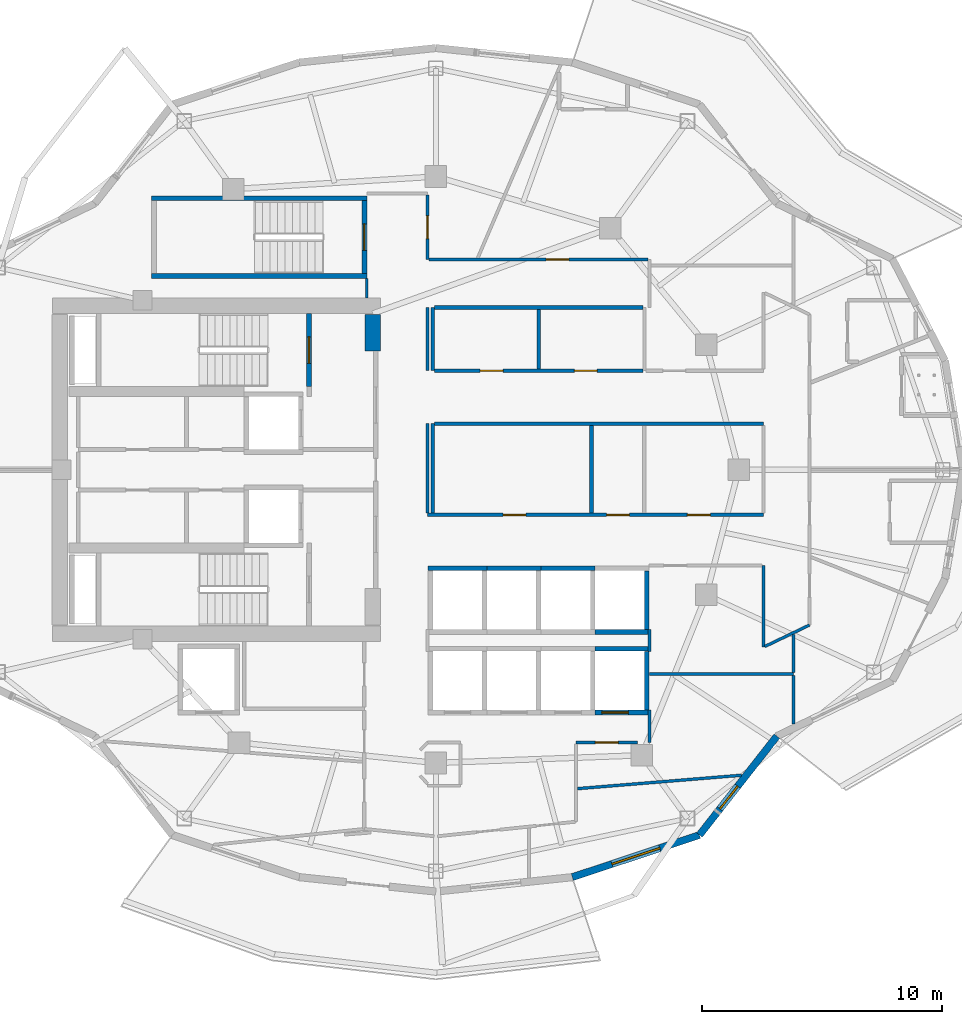
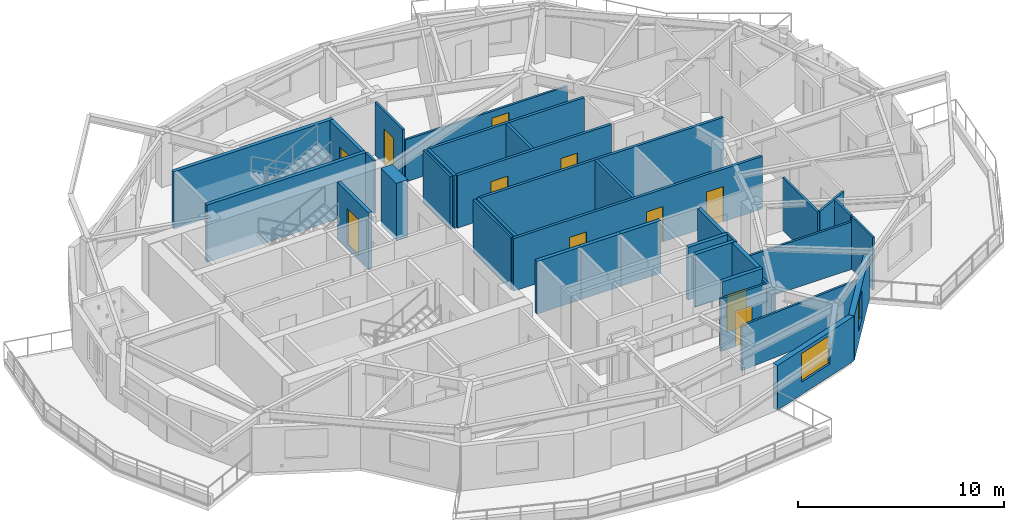
# One storey, part 5 of 13: 37 walls, 11 doors, 2 windows, 13 openings.
"""IFC4 building model written with IfcOpenShell, lengths in metres."""

from ifc_helpers import new_model, si_unit, direction, frame, frame_2d, origin, place, context, subcontext, project, spatial, rectangle, extrude, material, layer, layer_set, type_object, element, fill, save


model = new_model("IFC4")

# Units and contexts
model_context = context("Model", 3, precision=1e-05, world=origin(), true_north=direction((0.0, 1.0)))
body_context = subcontext(model_context, "Body", "Model", "MODEL_VIEW")
ifc_project = project(units=[si_unit("LENGTHUNIT", "METRE"), si_unit("AREAUNIT", "SQUARE_METRE"), si_unit("VOLUMEUNIT", "CUBIC_METRE"), si_unit("PLANEANGLEUNIT", "RADIAN"), si_unit("MASSUNIT", "GRAM", prefix="KILO")], contexts=[model_context])

# Site, building, storey
site_placement = place(None, origin())
site = spatial("IfcSite", under=ifc_project, at=site_placement, CompositionType="ELEMENT")
building_placement = place(site_placement, origin())
building = spatial("IfcBuilding", under=site, at=building_placement, Name="Kolvaren Gate Tower and Convention Centre", CompositionType="ELEMENT")
storey_placement = place(building_placement, frame((0.0, 0.0, 166.5)))
storey = spatial("IfcBuildingStorey", under=building, at=storey_placement, Name="L43", CompositionType="ELEMENT", Elevation=166.5)

# Walls
ifc_material_1 = material(Name="Fire-Rated Acoustic Gypsum Stud Partition", Category="gypsum")
ifc_layer_1 = layer(ifc_material_1, 0.1201171875)
ifc_layer_set_1 = layer_set([ifc_layer_1], Name="Fire-Rated Acoustic Gypsum Stud Partition")
wall_type_1 = type_object("IfcWallType", Name="ARCH-WL-PART-120", PredefinedType="PARTITIONING", material=ifc_layer_set_1)
wall_1_placement = place(storey_placement, frame((39.02001953125, 15.64990234375, 0.0), z_axis=(0.0, 0.0, 1.0), x_axis=(0.0, 1.0, 0.0)))
element("IfcWall", 1, at=wall_1_placement, inside=storey, type_object=wall_type_1, Name="Interior Partition WL-L43-INT-023", PredefinedType="PARTITIONING", context=body_context, shape_type="SweptSolid", body=[
    extrude(rectangle(XDim=1.360107421875, YDim=0.1201171875, at=frame_2d((0.68017578125, 0.0))), origin(), (0.0, 0.0, 1.0), 2.5048828125),
])
wall_2_placement = place(storey_placement, frame((39.02001953125, 19.43994140625, 0.0), z_axis=(0.0, 0.0, 1.0), x_axis=(0.0, 1.0, 0.0)))
element("IfcWall", 2, at=wall_2_placement, inside=storey, type_object=wall_type_1, Name="Interior Partition WL-L43-INT-023 (2)", PredefinedType="PARTITIONING", context=body_context, shape_type="SweptSolid", body=[
    extrude(rectangle(XDim=0.920166015625, YDim=0.1201171875, at=frame_2d((0.4599609375, 0.0))), origin(), (0.0, 0.0, 1.0), 3.1298828125),
])

# Wall, opening, door
wall_3_placement = place(storey_placement, frame((35.949951171875, 15.64990234375, 0.0), z_axis=(0.0, 0.0, 1.0), x_axis=(1.0, 0.0, 0.0)))
wall_3 = element("IfcWall", 3, at=wall_3_placement, inside=storey, type_object=wall_type_1, Name="Interior Partition WL-L43-INT-026", PredefinedType="PARTITIONING", context=body_context, shape_type="SweptSolid", body=[
    extrude(rectangle(XDim=2.568115234375, YDim=0.1201171875, at=frame_2d((1.2841796875, 0.0))), origin(), (0.0, 0.0, 1.0), 3.1298828125),
])
opening_1_placement = place(wall_3_placement, frame((0.80908203125, 0.0, 0.0)))
opening_1 = element("IfcOpeningElement", 4, at=opening_1_placement, cuts=wall_3, Name="Opening DR-01", PredefinedType="OPENING", context=body_context, shape_type="SweptSolid", body=[
    extrude(rectangle(XDim=0.949951171875, YDim=2.10009765625, at=frame_2d((0.47509765625, 1.050048828125))), frame((0.0, 0.070068359375, 0.0), z_axis=(0.0, -1.0, 0.0), x_axis=(1.0, 0.0, 0.0)), (0.0, 0.0, 1.0), 0.14013671875),
])
ifc_material_2 = material(Name="Painted Architectural Steelwork ASTM A500 Grade C 345 MPa", Category="steel")
door_type_1 = type_object("IfcDoorType", Name="ARCH-DR-RISER-950", OperationType="SINGLE_SWING_RIGHT", PredefinedType="DOOR", material=ifc_material_2)
door_1_placement = place(opening_1_placement, origin())
door_1 = element("IfcDoor", 5, at=door_1_placement, inside=storey, type_object=door_type_1, Name="Luxury Retail Boutique Door", OperationType="SINGLE_SWING_RIGHT", OverallHeight=2.10009765625, OverallWidth=0.949951171875, PredefinedType="DOOR", context=body_context, shape_type="SweptSolid", body=[
    extrude(rectangle(XDim=0.949951171875, YDim=2.10009765625, at=frame_2d((0.47509765625, 1.050048828125))), frame((0.0, 0.02490234375, 0.0), z_axis=(0.0, -1.0, 0.0), x_axis=(1.0, 0.0, 0.0)), (0.0, 0.0, 1.0), 0.050048828125),
])
fill(opening_1, door_1)

# Walls
wall_4_placement = place(storey_placement, frame((27.25, 34.152099609375, 0.0), z_axis=(0.0, 0.0, 1.0), x_axis=(0.0, 1.0, 0.0)))
element("IfcWall", 6, at=wall_4_placement, inside=storey, type_object=wall_type_1, Name="Interior Partition WL-L43-INT-030", PredefinedType="PARTITIONING", context=body_context, shape_type="SweptSolid", body=[
    extrude(rectangle(XDim=0.805908203125, YDim=0.1201171875, at=frame_2d((0.40283203125, 0.0))), origin(), (0.0, 0.0, 1.0), 3.1298828125),
])
wall_5_placement = place(storey_placement, frame((29.780029296875, 25.197021484375, 0.0), z_axis=(0.0, 0.0, 1.0), x_axis=(0.0, 1.0, 0.0)))
element("IfcWall", 7, at=wall_5_placement, inside=storey, type_object=wall_type_1, Name="Interior Partition WL-L43-INT-033", PredefinedType="PARTITIONING", context=body_context, shape_type="SweptSolid", body=[
    extrude(rectangle(XDim=3.722900390625, YDim=0.1201171875, at=frame_2d((1.861328125, 0.0))), origin(), (0.0, 0.0, 1.0), 3.1298828125),
])
wall_6_placement = place(storey_placement, frame((29.780029296875, 31.1201171875, 0.0), z_axis=(0.0, 0.0, 1.0), x_axis=(0.0, 1.0, 0.0)))
element("IfcWall", 8, at=wall_6_placement, inside=storey, type_object=wall_type_1, Name="Interior Partition WL-L43-INT-034", PredefinedType="PARTITIONING", context=body_context, shape_type="SweptSolid", body=[
    extrude(rectangle(XDim=2.6298828125, YDim=0.1201171875, at=frame_2d((1.31494140625, 0.0))), origin(), (0.0, 0.0, 1.0), 3.1298828125),
])

# Wall, opening, door
wall_7_placement = place(storey_placement, frame((29.780029296875, 35.75, 0.0), z_axis=(0.0, 0.0, 1.0), x_axis=(0.0, 1.0, 0.0)))
wall_7 = element("IfcWall", 9, at=wall_7_placement, inside=storey, type_object=wall_type_1, Name="Interior Partition WL-L43-INT-035", PredefinedType="PARTITIONING", context=body_context, shape_type="SweptSolid", body=[
    extrude(rectangle(XDim=2.68798828125, YDim=0.1201171875, at=frame_2d((1.343994140625, 0.0))), origin(), (0.0, 0.0, 1.0), 3.1298828125),
])
opening_2_placement = place(wall_7_placement, frame((0.868896484375, 0.0, 0.0)))
opening_2 = element("IfcOpeningElement", 10, at=opening_2_placement, cuts=wall_7, Name="Opening DR-01", PredefinedType="OPENING", context=body_context, shape_type="SweptSolid", body=[
    extrude(rectangle(XDim=0.949951171875, YDim=2.10009765625, at=frame_2d((0.47509765625, 1.050048828125))), frame((0.0, 0.070068359375, 0.0), z_axis=(0.0, -1.0, 0.0), x_axis=(1.0, 0.0, 0.0)), (0.0, 0.0, 1.0), 0.14013671875),
])
door_2_placement = place(opening_2_placement, origin())
door_2 = element("IfcDoor", 11, at=door_2_placement, inside=storey, type_object=door_type_1, Name="Deluxe Hotel Suite (HTL-L43-14) Door", OperationType="SINGLE_SWING_LEFT", OverallHeight=2.10009765625, OverallWidth=0.949951171875, PredefinedType="DOOR", context=body_context, shape_type="SweptSolid", body=[
    extrude(rectangle(XDim=0.949951171875, YDim=2.10009765625, at=frame_2d((0.47509765625, 1.050048828125))), frame((0.0, 0.02490234375, 0.0), z_axis=(0.0, -1.0, 0.0), x_axis=(1.0, 0.0, 0.0)), (0.0, 0.0, 1.0), 0.050048828125),
])
fill(opening_2, door_2)

wall_8_placement = place(storey_placement, frame((29.842041015625, 35.75, 0.0), z_axis=(0.0, 0.0, 1.0), x_axis=(1.0, 0.0, 0.0)))
wall_8 = element("IfcWall", 12, at=wall_8_placement, inside=storey, type_object=wall_type_1, Name="Interior Partition WL-L43-INT-036", PredefinedType="PARTITIONING", context=body_context, shape_type="SweptSolid", body=[
    extrude(rectangle(XDim=9.115966796875, YDim=0.1201171875, at=frame_2d((4.55810546875, 0.0))), origin(), (0.0, 0.0, 1.0), 2.5048828125),
])
opening_3_placement = place(wall_8_placement, frame((4.866455078125, 0.0, 0.0)))
opening_3 = element("IfcOpeningElement", 13, at=opening_3_placement, cuts=wall_8, Name="Opening DR-01", PredefinedType="OPENING", context=body_context, shape_type="SweptSolid", body=[
    extrude(rectangle(XDim=0.949951171875, YDim=2.10009765625, at=frame_2d((0.47509765625, 1.050048828125))), frame((0.0, 0.070068359375, 0.0), z_axis=(0.0, -1.0, 0.0), x_axis=(1.0, 0.0, 0.0)), (0.0, 0.0, 1.0), 0.14013671875),
])
door_3_placement = place(opening_3_placement, origin())
door_3 = element("IfcDoor", 14, at=door_3_placement, inside=storey, type_object=door_type_1, Name="Deluxe Hotel Suite (HTL-L43-13) Door", OperationType="SINGLE_SWING_RIGHT", OverallHeight=2.10009765625, OverallWidth=0.949951171875, PredefinedType="DOOR", context=body_context, shape_type="SweptSolid", body=[
    extrude(rectangle(XDim=0.949951171875, YDim=2.10009765625, at=frame_2d((0.47509765625, 1.050048828125))), frame((0.0, 0.02490234375, 0.0), z_axis=(0.0, -1.0, 0.0), x_axis=(1.0, 0.0, 0.0)), (0.0, 0.0, 1.0), 0.050048828125),
])
fill(opening_3, door_3)

# Walls
wall_9_placement = place(storey_placement, frame((43.75, 19.614990234375, 0.0), z_axis=(0.0, 0.0, 1.0), x_axis=(0.0, 1.0, 0.0)))
element("IfcWall", 15, at=wall_9_placement, inside=storey, type_object=wall_type_1, Name="Interior Partition WL-L43-INT-037", PredefinedType="PARTITIONING", context=body_context, shape_type="SweptSolid", body=[
    extrude(rectangle(XDim=3.405029296875, YDim=0.1201171875, at=frame_2d((1.70263671875, 0.0))), origin(), (0.0, 0.0, 1.0), 3.1298828125),
])
wall_10_placement = place(storey_placement, frame((43.81201171875, 19.644775390625, 0.0), z_axis=(0.0, 0.0, 1.0), x_axis=(0.901236415331, 0.433327732417, 0.0)))
element("IfcWall", 16, at=wall_10_placement, inside=storey, type_object=wall_type_1, Name="Interior Partition WL-L43-INT-042", PredefinedType="PARTITIONING", context=body_context, shape_type="SweptSolid", body=[
    extrude(rectangle(XDim=2.0615234375, YDim=0.1201171875, at=frame_2d((1.03076171875, 0.0))), origin(), (0.0, 0.0, 1.0), 3.1298828125),
])
wall_11_placement = place(storey_placement, frame((36.011962890625, 13.72998046875, 0.0), z_axis=(0.0, 0.0, 1.0), x_axis=(0.9966727065, 0.081507767227, 0.0)))
element("IfcWall", 17, at=wall_11_placement, inside=storey, type_object=wall_type_1, Name="Interior Partition WL-L43-INT-054", PredefinedType="PARTITIONING", context=body_context, shape_type="SweptSolid", body=[
    extrude(rectangle(XDim=6.859130859375, YDim=0.1201171875, at=frame_2d((3.4296875, 0.0))), origin(), (0.0, 0.0, 1.0), 2.653076171875),
])
wall_12_placement = place(storey_placement, frame((39.02001953125, 18.5, 0.0), z_axis=(0.0, 0.0, 1.0), x_axis=(1.0, 0.0, 0.0)))
element("IfcWall", 18, at=wall_12_placement, inside=storey, type_object=wall_type_1, Name="Interior Partition WL-L43-INT-055", PredefinedType="PARTITIONING", context=body_context, shape_type="SweptSolid", body=[
    extrude(rectangle(XDim=5.97998046875, YDim=0.1201171875, at=frame_2d((2.989990234375, 0.0))), origin(), (0.0, 0.0, 1.0), 2.81201171875),
])
wall_13_placement = place(storey_placement, frame((45.0, 16.41259765625, 0.0), z_axis=(0.0, 0.0, 1.0), x_axis=(0.0, 1.0, 0.0)))
element("IfcWall", 19, at=wall_13_placement, inside=storey, type_object=wall_type_1, Name="Interior Partition WL-L43-INT-056", PredefinedType="PARTITIONING", context=body_context, shape_type="SweptSolid", body=[
    extrude(rectangle(XDim=2.025390625, YDim=0.1201171875, at=frame_2d((1.0126953125, 0.0))), origin(), (0.0, 0.0, 1.0), 3.1298828125),
])
wall_14_placement = place(storey_placement, frame((45.0, 18.56201171875, 0.0), z_axis=(0.0, 0.0, 1.0), x_axis=(0.0, 1.0, 0.0)))
element("IfcWall", 20, at=wall_14_placement, inside=storey, type_object=wall_type_1, Name="Interior Partition WL-L43-INT-056 (2)", PredefinedType="PARTITIONING", context=body_context, shape_type="SweptSolid", body=[
    extrude(rectangle(XDim=1.585205078125, YDim=0.1201171875, at=frame_2d((0.79248046875, 0.0))), origin(), (0.0, 0.0, 1.0), 3.1298828125),
])
ifc_material_3 = material(Name="Autoclaved Aerated Masonry Blockwork Class 4 (4.0 MPa)", Category="masonry")
ifc_layer_2 = layer(ifc_material_3, 0.199951171875)
ifc_layer_set_2 = layer_set([ifc_layer_2], Name="Autoclaved Aerated Masonry Blockwork Class 4 (4.0 MPa)")
wall_type_2 = type_object("IfcWallType", Name="ARCH-WL-SHAFT-200", PredefinedType="SOLIDWALL", material=ifc_layer_set_2)
wall_15_placement = place(storey_placement, frame((36.75, 19.550048828125, 0.0), z_axis=(0.0, 0.0, 1.0), x_axis=(1.0, 0.0, 0.0)))
element("IfcWall", 21, at=wall_15_placement, inside=storey, type_object=wall_type_2, Name="Elevator PL-08 L43 Fire Shaft Wall N", PredefinedType="SOLIDWALL", context=body_context, shape_type="SweptSolid", body=[
    extrude(rectangle(XDim=2.25, YDim=0.199951171875, at=frame_2d((1.125, 0.0))), origin(), (0.0, 0.0, 1.0), 3.1298828125),
])

# Wall, opening, door
wall_16_placement = place(storey_placement, frame((36.75, 16.89990234375, 0.0), z_axis=(0.0, 0.0, 1.0), x_axis=(1.0, 0.0, 0.0)))
wall_16 = element("IfcWall", 22, at=wall_16_placement, inside=storey, type_object=wall_type_2, Name="Elevator PL-08 L43 Fire Shaft Wall S", PredefinedType="SOLIDWALL", context=body_context, shape_type="SweptSolid", body=[
    extrude(rectangle(XDim=2.25, YDim=0.199951171875, at=frame_2d((1.125, 0.0))), origin(), (0.0, 0.0, 1.0), 3.1298828125),
])
opening_4_placement = place(wall_16_placement, frame((0.280029296875, 0.0, 0.0)))
opening_4 = element("IfcOpeningElement", 23, at=opening_4_placement, cuts=wall_16, Name="Opening LD", PredefinedType="OPENING", context=body_context, shape_type="SweptSolid", body=[
    extrude(rectangle(XDim=1.10009765625, YDim=2.199951171875, at=frame_2d((0.550048828125, 1.10009765625))), frame((0.0, 0.10986328125, 0.0), z_axis=(0.0, -1.0, 0.0), x_axis=(1.0, 0.0, 0.0)), (0.0, 0.0, 1.0), 0.219970703125),
])
ifc_material_4 = material(Name="Brushed Stainless Steel Grade 316L", Category="steel")
door_type_2 = type_object("IfcDoorType", Name="ARCH-DR-LIFT-1100", OperationType="SLIDING_TO_LEFT", PredefinedType="DOOR", material=ifc_material_4)
door_4_placement = place(opening_4_placement, origin())
door_4 = element("IfcDoor", 24, at=door_4_placement, inside=storey, type_object=door_type_2, Name="Elevator PL-08 L43 Sliding Landing Door", OperationType="SLIDING_TO_LEFT", OverallHeight=2.199951171875, OverallWidth=1.10009765625, PredefinedType="DOOR", context=body_context, shape_type="SweptSolid", body=[
    extrude(rectangle(XDim=1.10009765625, YDim=2.199951171875, at=frame_2d((0.550048828125, 1.10009765625))), frame((0.0, 0.02490234375, 0.0), z_axis=(0.0, -1.0, 0.0), x_axis=(1.0, 0.0, 0.0)), (0.0, 0.0, 1.0), 0.050048828125),
])
fill(opening_4, door_4)

# Walls
wall_17_placement = place(storey_placement, frame((38.89990234375, 17.010009765625, 0.0), z_axis=(0.0, 0.0, 1.0), x_axis=(0.0, 1.0, 0.0)))
element("IfcWall", 25, at=wall_17_placement, inside=storey, type_object=wall_type_2, Name="Elevator PL-08 L43 Fire Shaft Wall E", PredefinedType="SOLIDWALL", context=body_context, shape_type="SweptSolid", body=[
    extrude(rectangle(XDim=2.429931640625, YDim=0.199951171875, at=frame_2d((1.21484375, 0.0))), origin(), (0.0, 0.0, 1.0), 3.1298828125),
])
wall_18_placement = place(storey_placement, frame((29.800048828125, 22.89990234375, 0.0), z_axis=(0.0, 0.0, 1.0), x_axis=(1.0, 0.0, 0.0)))
element("IfcWall", 26, at=wall_18_placement, inside=storey, type_object=wall_type_2, Name="Elevator PL-09 L43 Fire Shaft Wall N", PredefinedType="SOLIDWALL", context=body_context, shape_type="SweptSolid", body=[
    extrude(rectangle(XDim=2.449951171875, YDim=0.199951171875, at=frame_2d((1.22509765625, 0.0))), origin(), (0.0, 0.0, 1.0), 3.1298828125),
])
for number, where, z_axis, x_axis, name in (
    (27, (32.25, 22.89990234375, 0.0), (0.0, 0.0, 1.0), (1.0, 0.0, 0.0), "Elevator PL-10 L43 Fire Shaft Wall N"),
    (28, (34.5, 22.89990234375, 0.0), (0.0, 0.0, 1.0), (1.0, 0.0, 0.0), "Elevator PL-11 L43 Fire Shaft Wall N"),
    (29, (36.75, 20.25, 0.0), (0.0, 0.0, 1.0), (1.0, 0.0, 0.0), "Elevator PL-12 L43 Fire Shaft Wall S"),
):
    element("IfcWall", number, at=place(storey_placement, frame(where, z_axis=z_axis, x_axis=x_axis)), inside=storey, type_object=wall_type_2, Name=name, PredefinedType="SOLIDWALL", context=body_context, shape_type="SweptSolid", body=[
        extrude(rectangle(XDim=2.25, YDim=0.199951171875, at=frame_2d((1.125, 0.0))), origin(), (0.0, 0.0, 1.0), 3.1298828125),
    ])
wall_19_placement = place(storey_placement, frame((38.89990234375, 20.360107421875, 0.0), z_axis=(0.0, 0.0, 1.0), x_axis=(0.0, 1.0, 0.0)))
element("IfcWall", 30, at=wall_19_placement, inside=storey, type_object=wall_type_2, Name="Elevator PL-12 L43 Fire Shaft Wall E", PredefinedType="SOLIDWALL", context=body_context, shape_type="SweptSolid", body=[
    extrude(rectangle(XDim=2.429931640625, YDim=0.199951171875, at=frame_2d((1.21484375, 0.0))), origin(), (0.0, 0.0, 1.0), 3.1298828125),
])

# Wall, opening, window
ifc_material_5 = material(Name="Piedmont Cream Honed Limestone Cladding", Category="masonry")
ifc_layer_3 = layer(ifc_material_5, 0.300048828125)
ifc_layer_set_3 = layer_set([ifc_layer_3], Name="Piedmont Cream Honed Limestone Cladding")
wall_type_3 = type_object("IfcWallType", Name="ARCH-WL-STONE-300", PredefinedType="SOLIDWALL", material=ifc_layer_set_3)
wall_20_placement = place(storey_placement, frame((35.802734375, 10.048095703125, 0.0), z_axis=(0.0, 0.0, 1.0), x_axis=(0.949246811547, 0.314532177636, 0.0)))
wall_20 = element("IfcWall", 31, at=wall_20_placement, inside=storey, type_object=wall_type_3, Name="Tower L43 Honed Stone Spandrel Wall EW-19", PredefinedType="SOLIDWALL", context=body_context, shape_type="SweptSolid", body=[
    extrude(rectangle(XDim=5.573974609375, YDim=0.300048828125, at=frame_2d((2.787109375, 0.0))), origin(), (0.0, 0.0, 1.0), 2.653076171875),
])
opening_5_placement = place(wall_20_placement, frame((1.737060546875, 0.0, 0.739990234375)))
opening_5 = element("IfcOpeningElement", 32, at=opening_5_placement, cuts=wall_20, Name="Opening W-02", PredefinedType="OPENING", context=body_context, shape_type="SweptSolid", body=[
    extrude(rectangle(XDim=2.10009765625, YDim=1.699951171875, at=frame_2d((1.050048828125, 0.85009765625))), frame((0.0, 0.159912109375, 0.0), z_axis=(0.0, -1.0, 0.0), x_axis=(1.0, 0.0, 0.0)), (0.0, 0.0, 1.0), 0.320068359375),
])
ifc_material_6 = material(Name="Low-E Triple Insulated Glazing Unit 44 mm", Category="glass")
window_type_1 = type_object("IfcWindowType", Name="ARCH-WN-HTL-2100", PartitioningType="SINGLE_PANEL", PredefinedType="WINDOW", material=ifc_material_6)
window_1_placement = place(opening_5_placement, origin())
window_1 = element("IfcWindow", 33, at=window_1_placement, inside=storey, type_object=window_type_1, Name="Tower L43 Punched Stone Facade Window W-19", OverallHeight=1.699951171875, OverallWidth=2.10009765625, PartitioningType="SINGLE_PANEL", PredefinedType="WINDOW", context=body_context, shape_type="SweptSolid", body=[
    extrude(rectangle(XDim=2.10009765625, YDim=1.699951171875, at=frame_2d((1.050048828125, 0.85009765625))), frame((0.0, 0.030029296875, 0.0), z_axis=(0.0, -1.0, 0.0), x_axis=(1.0, 0.0, 0.0)), (0.0, 0.0, 1.0), 0.06005859375),
])
fill(opening_5, window_1)

wall_21_placement = place(storey_placement, frame((41.09375, 11.80126953125, 0.0), z_axis=(0.0, 0.0, 1.0), x_axis=(0.616429245738, 0.787410302828, 0.0)))
wall_21 = element("IfcWall", 34, at=wall_21_placement, inside=storey, type_object=wall_type_3, Name="Tower L43 Honed Stone Spandrel Wall EW-20", PredefinedType="SOLIDWALL", context=body_context, shape_type="SweptSolid", body=[
    extrude(rectangle(XDim=5.22314453125, YDim=0.300048828125, at=frame_2d((2.611572265625, 0.0))), origin(), (0.0, 0.0, 1.0), 2.653076171875),
])
opening_6_placement = place(wall_21_placement, frame((1.3798828125, 0.0, 0.719970703125)))
opening_6 = element("IfcOpeningElement", 35, at=opening_6_placement, cuts=wall_21, Name="Opening W-04", PredefinedType="OPENING", context=body_context, shape_type="SweptSolid", body=[
    extrude(rectangle(XDim=1.199951171875, YDim=1.64990234375, at=frame_2d((0.60009765625, 0.824951171875))), frame((0.0, 0.159912109375, 0.0), z_axis=(0.0, -1.0, 0.0), x_axis=(1.0, 0.0, 0.0)), (0.0, 0.0, 1.0), 0.320068359375),
])
window_type_2 = type_object("IfcWindowType", Name="ARCH-WN-NARROW-1200", PartitioningType="SINGLE_PANEL", PredefinedType="WINDOW", material=ifc_material_6)
window_2_placement = place(opening_6_placement, origin())
window_2 = element("IfcWindow", 36, at=window_2_placement, inside=storey, type_object=window_type_2, Name="Tower L43 Punched Stone Facade Window W-20", OverallHeight=1.64990234375, OverallWidth=1.199951171875, PartitioningType="SINGLE_PANEL", PredefinedType="WINDOW", context=body_context, shape_type="SweptSolid", body=[
    extrude(rectangle(XDim=1.199951171875, YDim=1.64990234375, at=frame_2d((0.60009765625, 0.824951171875))), frame((0.0, 0.030029296875, 0.0), z_axis=(0.0, -1.0, 0.0), x_axis=(1.0, 0.0, 0.0)), (0.0, 0.0, 1.0), 0.06005859375),
])
fill(opening_6, window_2)

# Wall, openings, doors
ifc_material_7 = material(Name="Moisture-Resistant Cement-Board Acoustic Partition", Category="gypsum")
ifc_layer_4 = layer(ifc_material_7, 0.14990234375)
ifc_layer_set_4 = layer_set([ifc_layer_4], Name="Moisture-Resistant Cement-Board Acoustic Partition")
wall_type_4 = type_object("IfcWallType", Name="ARCH-WL-WET-150", PredefinedType="PARTITIONING", material=ifc_layer_set_4)
wall_22_placement = place(storey_placement, frame((29.780029296875, 25.1201171875, 0.0), z_axis=(0.0, 0.0, 1.0), x_axis=(1.0, 0.0, 0.0)))
wall_22 = element("IfcWall", 37, at=wall_22_placement, inside=storey, type_object=wall_type_4, Name="Interior Partition WL-L43-INT-013", PredefinedType="PARTITIONING", context=body_context, shape_type="SweptSolid", body=[
    extrude(rectangle(XDim=13.969970703125, YDim=0.14990234375, at=frame_2d((6.98486328125, 0.0))), origin(), (0.0, 0.0, 1.0), 3.1298828125),
])
opening_7_placement = place(wall_22_placement, frame((3.139892578125, 0.0, 0.0)))
opening_7 = element("IfcOpeningElement", 38, at=opening_7_placement, cuts=wall_22, Name="Opening DR-01", PredefinedType="OPENING", context=body_context, shape_type="SweptSolid", body=[
    extrude(rectangle(XDim=0.949951171875, YDim=2.10009765625, at=frame_2d((0.47509765625, 1.050048828125))), frame((0.0, 0.0849609375, 0.0), z_axis=(0.0, -1.0, 0.0), x_axis=(1.0, 0.0, 0.0)), (0.0, 0.0, 1.0), 0.169921875),
])
opening_8_placement = place(wall_22_placement, frame((7.445068359375, 0.0, 0.0)))
opening_8 = element("IfcOpeningElement", 39, at=opening_8_placement, cuts=wall_22, Name="Opening DR-01", PredefinedType="OPENING", context=body_context, shape_type="SweptSolid", body=[
    extrude(rectangle(XDim=0.949951171875, YDim=2.10009765625, at=frame_2d((0.47509765625, 1.050048828125))), frame((0.0, 0.0849609375, 0.0), z_axis=(0.0, -1.0, 0.0), x_axis=(1.0, 0.0, 0.0)), (0.0, 0.0, 1.0), 0.169921875),
])
opening_9_placement = place(wall_22_placement, frame((10.81494140625, 0.0, 0.0)))
opening_9 = element("IfcOpeningElement", 40, at=opening_9_placement, cuts=wall_22, Name="Opening DR-01", PredefinedType="OPENING", context=body_context, shape_type="SweptSolid", body=[
    extrude(rectangle(XDim=0.949951171875, YDim=2.10009765625, at=frame_2d((0.47509765625, 1.050048828125))), frame((0.0, 0.0849609375, 0.0), z_axis=(0.0, -1.0, 0.0), x_axis=(1.0, 0.0, 0.0)), (0.0, 0.0, 1.0), 0.169921875),
])
door_5_placement = place(opening_7_placement, origin())
door_5 = element("IfcDoor", 41, at=door_5_placement, inside=storey, type_object=door_type_1, Name="Accessible Universal Washroom Door", OperationType="SINGLE_SWING_RIGHT", OverallHeight=2.10009765625, OverallWidth=0.949951171875, PredefinedType="DOOR", context=body_context, shape_type="SweptSolid", body=[
    extrude(rectangle(XDim=0.949951171875, YDim=2.10009765625, at=frame_2d((0.47509765625, 1.050048828125))), frame((0.0, 0.02490234375, 0.0), z_axis=(0.0, -1.0, 0.0), x_axis=(1.0, 0.0, 0.0)), (0.0, 0.0, 1.0), 0.050048828125),
])
fill(opening_7, door_5)
door_6_placement = place(opening_8_placement, origin())
door_6 = element("IfcDoor", 42, at=door_6_placement, inside=storey, type_object=door_type_1, Name="Hotel Housekeeping and Linen Store Door", OperationType="SINGLE_SWING_LEFT", OverallHeight=2.10009765625, OverallWidth=0.949951171875, PredefinedType="DOOR", context=body_context, shape_type="SweptSolid", body=[
    extrude(rectangle(XDim=0.949951171875, YDim=2.10009765625, at=frame_2d((0.47509765625, 1.050048828125))), frame((0.0, 0.02490234375, 0.0), z_axis=(0.0, -1.0, 0.0), x_axis=(1.0, 0.0, 0.0)), (0.0, 0.0, 1.0), 0.050048828125),
])
fill(opening_8, door_6)
door_7_placement = place(opening_9_placement, origin())
door_7 = element("IfcDoor", 43, at=door_7_placement, inside=storey, type_object=door_type_1, Name="Hotel Botanical Clubroom Door", OperationType="SINGLE_SWING_RIGHT", OverallHeight=2.10009765625, OverallWidth=0.949951171875, PredefinedType="DOOR", context=body_context, shape_type="SweptSolid", body=[
    extrude(rectangle(XDim=0.949951171875, YDim=2.10009765625, at=frame_2d((0.47509765625, 1.050048828125))), frame((0.0, 0.02490234375, 0.0), z_axis=(0.0, -1.0, 0.0), x_axis=(1.0, 0.0, 0.0)), (0.0, 0.0, 1.0), 0.050048828125),
])
fill(opening_9, door_7)

# Walls
wall_23_placement = place(storey_placement, frame((30.0, 25.197021484375, 0.0), z_axis=(0.0, 0.0, 1.0), x_axis=(0.0, 1.0, 0.0)))
element("IfcWall", 44, at=wall_23_placement, inside=storey, type_object=wall_type_4, Name="Interior Partition WL-L43-INT-014", PredefinedType="PARTITIONING", context=body_context, shape_type="SweptSolid", body=[
    extrude(rectangle(XDim=3.722900390625, YDim=0.14990234375, at=frame_2d((1.861328125, 0.0))), origin(), (0.0, 0.0, 1.0), 3.1298828125),
])
wall_24_placement = place(storey_placement, frame((30.0, 31.1201171875, 0.0), z_axis=(0.0, 0.0, 1.0), x_axis=(0.0, 1.0, 0.0)))
element("IfcWall", 45, at=wall_24_placement, inside=storey, type_object=wall_type_4, Name="Interior Partition WL-L43-INT-015", PredefinedType="PARTITIONING", context=body_context, shape_type="SweptSolid", body=[
    extrude(rectangle(XDim=2.6298828125, YDim=0.14990234375, at=frame_2d((1.31494140625, 0.0))), origin(), (0.0, 0.0, 1.0), 3.1298828125),
])
wall_25_placement = place(storey_placement, frame((30.076904296875, 28.919921875, 0.0), z_axis=(0.0, 0.0, 1.0), x_axis=(1.0, 0.0, 0.0)))
element("IfcWall", 46, at=wall_25_placement, inside=storey, type_object=wall_type_4, Name="Interior Partition WL-L43-INT-016", PredefinedType="PARTITIONING", context=body_context, shape_type="SweptSolid", body=[
    extrude(rectangle(XDim=13.673095703125, YDim=0.14990234375, at=frame_2d((6.83642578125, 0.0))), origin(), (0.0, 0.0, 1.0), 3.1298828125),
])
wall_26_placement = place(storey_placement, frame((36.60009765625, 25.197021484375, 0.0), z_axis=(0.0, 0.0, 1.0), x_axis=(0.0, 1.0, 0.0)))
element("IfcWall", 47, at=wall_26_placement, inside=storey, type_object=wall_type_4, Name="Interior Partition WL-L43-INT-017", PredefinedType="PARTITIONING", context=body_context, shape_type="SweptSolid", body=[
    extrude(rectangle(XDim=3.64599609375, YDim=0.14990234375, at=frame_2d((1.822998046875, 0.0))), origin(), (0.0, 0.0, 1.0), 3.1298828125),
])

# Wall, openings, doors
wall_27_placement = place(storey_placement, frame((30.076904296875, 31.1201171875, 0.0), z_axis=(0.0, 0.0, 1.0), x_axis=(1.0, 0.0, 0.0)))
wall_27 = element("IfcWall", 48, at=wall_27_placement, inside=storey, type_object=wall_type_4, Name="Interior Partition WL-L43-INT-020", PredefinedType="PARTITIONING", context=body_context, shape_type="SweptSolid", body=[
    extrude(rectangle(XDim=8.6611328125, YDim=0.14990234375, at=frame_2d((4.33056640625, 0.0))), origin(), (0.0, 0.0, 1.0), 3.1298828125),
])
opening_10_placement = place(wall_27_placement, frame((1.8916015625, 0.0, 0.0)))
opening_10 = element("IfcOpeningElement", 49, at=opening_10_placement, cuts=wall_27, Name="Opening DR-01", PredefinedType="OPENING", context=body_context, shape_type="SweptSolid", body=[
    extrude(rectangle(XDim=0.949951171875, YDim=2.10009765625, at=frame_2d((0.47509765625, 1.050048828125))), frame((0.0, 0.0849609375, 0.0), z_axis=(0.0, -1.0, 0.0), x_axis=(1.0, 0.0, 0.0)), (0.0, 0.0, 1.0), 0.169921875),
])
opening_11_placement = place(wall_27_placement, frame((5.81201171875, 0.0, 0.0)))
opening_11 = element("IfcOpeningElement", 50, at=opening_11_placement, cuts=wall_27, Name="Opening DR-01", PredefinedType="OPENING", context=body_context, shape_type="SweptSolid", body=[
    extrude(rectangle(XDim=0.949951171875, YDim=2.10009765625, at=frame_2d((0.47509765625, 1.050048828125))), frame((0.0, 0.0849609375, 0.0), z_axis=(0.0, -1.0, 0.0), x_axis=(1.0, 0.0, 0.0)), (0.0, 0.0, 1.0), 0.169921875),
])
door_8_placement = place(opening_10_placement, origin())
door_8 = element("IfcDoor", 51, at=door_8_placement, inside=storey, type_object=door_type_1, Name="Valet and Linen Store Door", OperationType="SINGLE_SWING_RIGHT", OverallHeight=2.10009765625, OverallWidth=0.949951171875, PredefinedType="DOOR", context=body_context, shape_type="SweptSolid", body=[
    extrude(rectangle(XDim=0.949951171875, YDim=2.10009765625, at=frame_2d((0.47509765625, 1.050048828125))), frame((0.0, 0.02490234375, 0.0), z_axis=(0.0, -1.0, 0.0), x_axis=(1.0, 0.0, 0.0)), (0.0, 0.0, 1.0), 0.050048828125),
])
fill(opening_10, door_8)
door_9_placement = place(opening_11_placement, origin())
door_9 = element("IfcDoor", 52, at=door_9_placement, inside=storey, type_object=door_type_1, Name="Ice and Beverage Pantry Door", OperationType="SINGLE_SWING_LEFT", OverallHeight=2.10009765625, OverallWidth=0.949951171875, PredefinedType="DOOR", context=body_context, shape_type="SweptSolid", body=[
    extrude(rectangle(XDim=0.949951171875, YDim=2.10009765625, at=frame_2d((0.47509765625, 1.050048828125))), frame((0.0, 0.02490234375, 0.0), z_axis=(0.0, -1.0, 0.0), x_axis=(1.0, 0.0, 0.0)), (0.0, 0.0, 1.0), 0.050048828125),
])
fill(opening_11, door_9)

# Walls
wall_28_placement = place(storey_placement, frame((30.076904296875, 33.75, 0.0), z_axis=(0.0, 0.0, 1.0), x_axis=(1.0, 0.0, 0.0)))
element("IfcWall", 53, at=wall_28_placement, inside=storey, type_object=wall_type_4, Name="Interior Partition WL-L43-INT-021", PredefinedType="PARTITIONING", context=body_context, shape_type="SweptSolid", body=[
    extrude(rectangle(XDim=8.6611328125, YDim=0.14990234375, at=frame_2d((4.33056640625, 0.0))), origin(), (0.0, 0.0, 1.0), 3.1298828125),
])
wall_29_placement = place(storey_placement, frame((34.39990234375, 31.197021484375, 0.0), z_axis=(0.0, 0.0, 1.0), x_axis=(0.0, 1.0, 0.0)))
element("IfcWall", 54, at=wall_29_placement, inside=storey, type_object=wall_type_4, Name="Interior Partition WL-L43-INT-022", PredefinedType="PARTITIONING", context=body_context, shape_type="SweptSolid", body=[
    extrude(rectangle(XDim=2.47607421875, YDim=0.14990234375, at=frame_2d((1.238037109375, 0.0))), origin(), (0.0, 0.0, 1.0), 3.1298828125),
])
ifc_material_8 = material(Name="Concrete C60/75", Category="concrete")
ifc_layer_5 = layer(ifc_material_8, 0.64990234375)
ifc_layer_set_5 = layer_set([ifc_layer_5], Name="Concrete C60/75")
wall_type_5 = type_object("IfcWallType", Name="STR-WL-CORE-650", PredefinedType="SHEAR", material=ifc_layer_set_5)
wall_30_placement = place(storey_placement, frame((27.5, 31.949951171875, -0.27001953125), z_axis=(0.0, 0.0, 1.0), x_axis=(0.0, 1.0, 0.0)))
element("IfcWall", 55, at=wall_30_placement, inside=storey, type_object=wall_type_5, Name="Tower L43 Offset Core Shear Wall EN", PredefinedType="SHEAR", context=body_context, shape_type="SweptSolid", body=[
    extrude(rectangle(XDim=1.5, YDim=0.64990234375, at=frame_2d((0.75, 0.0))), origin(), (0.0, 0.0, 1.0), 3.39990234375),
])

# Wall, opening, door
ifc_material_9 = material(Name="Concrete C50/60", Category="concrete")
ifc_layer_6 = layer(ifc_material_9, 0.199951171875)
ifc_layer_set_6 = layer_set([ifc_layer_6], Name="Concrete C50/60")
wall_type_6 = type_object("IfcWallType", Name="STR-WL-SHAFT-200", PredefinedType="SHEAR", material=ifc_layer_set_6)
wall_31_placement = place(storey_placement, frame((24.85009765625, 30.4599609375, -0.27001953125), z_axis=(0.0, 0.0, 1.0), x_axis=(0.0, 1.0, 0.0)))
wall_31 = element("IfcWall", 56, at=wall_31_placement, inside=storey, type_object=wall_type_6, Name="Tower North Exit Stair ST-T1 L43 Structural Shear Enclosure Wall NEAR", PredefinedType="SHEAR", context=body_context, shape_type="SweptSolid", body=[
    extrude(rectangle(XDim=3.0380859375, YDim=0.199951171875, at=frame_2d((1.51904296875, 0.0))), origin(), (0.0, 0.0, 1.0), 3.39990234375),
])
opening_12_placement = place(wall_31_placement, frame((0.968994140625, 0.0, 0.27001953125)))
opening_12 = element("IfcOpeningElement", 57, at=opening_12_placement, cuts=wall_31, Name="Opening DS-01", PredefinedType="OPENING", context=body_context, shape_type="SweptSolid", body=[
    extrude(rectangle(XDim=1.10009765625, YDim=2.14990234375, at=frame_2d((0.550048828125, 1.074951171875))), frame((0.0, 0.10986328125, 0.0), z_axis=(0.0, -1.0, 0.0), x_axis=(1.0, 0.0, 0.0)), (0.0, 0.0, 1.0), 0.219970703125),
])
door_type_3 = type_object("IfcDoorType", Name="ARCH-DR-STAIR-1100", OperationType="SINGLE_SWING_LEFT", PredefinedType="DOOR", material=ifc_material_2)
door_10_placement = place(opening_12_placement, origin())
door_10 = element("IfcDoor", 58, at=door_10_placement, inside=storey, type_object=door_type_3, Name="Tower North Exit Stair ST-T1 L43 Fire Exit Stair Door", OperationType="SINGLE_SWING_LEFT", OverallHeight=2.14990234375, OverallWidth=1.10009765625, PredefinedType="DOOR", context=body_context, shape_type="SweptSolid", body=[
    extrude(rectangle(XDim=1.10009765625, YDim=2.14990234375, at=frame_2d((0.550048828125, 1.074951171875))), frame((0.0, 0.02490234375, 0.0), z_axis=(0.0, -1.0, 0.0), x_axis=(1.0, 0.0, 0.0)), (0.0, 0.0, 1.0), 0.050048828125),
])
fill(opening_12, door_10)

wall_32_placement = place(storey_placement, frame((27.14990234375, 35.159912109375, -0.27001953125), z_axis=(0.0, 0.0, 1.0), x_axis=(0.0, 1.0, 0.0)))
wall_32 = element("IfcWall", 59, at=wall_32_placement, inside=storey, type_object=wall_type_6, Name="Tower Mid-Zone Exit Stair ST-T3 L43 Structural Shear Enclosure Wall NEAR", PredefinedType="SHEAR", context=body_context, shape_type="SweptSolid", body=[
    extrude(rectangle(XDim=3.0400390625, YDim=0.199951171875, at=frame_2d((1.52001953125, 0.0))), origin(), (0.0, 0.0, 1.0), 3.39990234375),
])
opening_13_placement = place(wall_32_placement, frame((0.969970703125, 0.0, 0.27001953125)))
opening_13 = element("IfcOpeningElement", 60, at=opening_13_placement, cuts=wall_32, Name="Opening DS-01", PredefinedType="OPENING", context=body_context, shape_type="SweptSolid", body=[
    extrude(rectangle(XDim=1.10009765625, YDim=2.14990234375, at=frame_2d((0.550048828125, 1.074951171875))), frame((0.0, 0.10986328125, 0.0), z_axis=(0.0, -1.0, 0.0), x_axis=(1.0, 0.0, 0.0)), (0.0, 0.0, 1.0), 0.219970703125),
])
door_11_placement = place(opening_13_placement, origin())
door_11 = element("IfcDoor", 61, at=door_11_placement, inside=storey, type_object=door_type_3, Name="Tower Mid-Zone Exit Stair ST-T3 L43 Fire Exit Stair Door", OperationType="SINGLE_SWING_LEFT", OverallHeight=2.14990234375, OverallWidth=1.10009765625, PredefinedType="DOOR", context=body_context, shape_type="SweptSolid", body=[
    extrude(rectangle(XDim=1.10009765625, YDim=2.14990234375, at=frame_2d((0.550048828125, 1.074951171875))), frame((0.0, 0.02490234375, 0.0), z_axis=(0.0, -1.0, 0.0), x_axis=(1.0, 0.0, 0.0)), (0.0, 0.0, 1.0), 0.050048828125),
])
fill(opening_13, door_11)

# Walls
for number, where, z_axis, x_axis, name in (
    (62, (18.300048828125, 38.300048828125, -0.27001953125), (0.0, 0.0, 1.0), (1.0, 0.0, 0.0), "Tower Mid-Zone Exit Stair ST-T3 L43 Structural Shear Enclosure Wall LEFT"),
    (63, (18.300048828125, 35.06005859375, -0.27001953125), (0.0, 0.0, 1.0), (1.0, 0.0, 0.0), "Tower Mid-Zone Exit Stair ST-T3 L43 Structural Shear Enclosure Wall RGHT"),
):
    element("IfcWall", number, at=place(storey_placement, frame(where, z_axis=z_axis, x_axis=x_axis)), inside=storey, type_object=wall_type_6, Name=name, PredefinedType="SHEAR", context=body_context, shape_type="SweptSolid", body=[
        extrude(rectangle(XDim=8.949951171875, YDim=0.199951171875, at=frame_2d((4.47509765625, 0.0))), origin(), (0.0, 0.0, 1.0), 3.39990234375),
    ])

save(model, "model.ifc")
